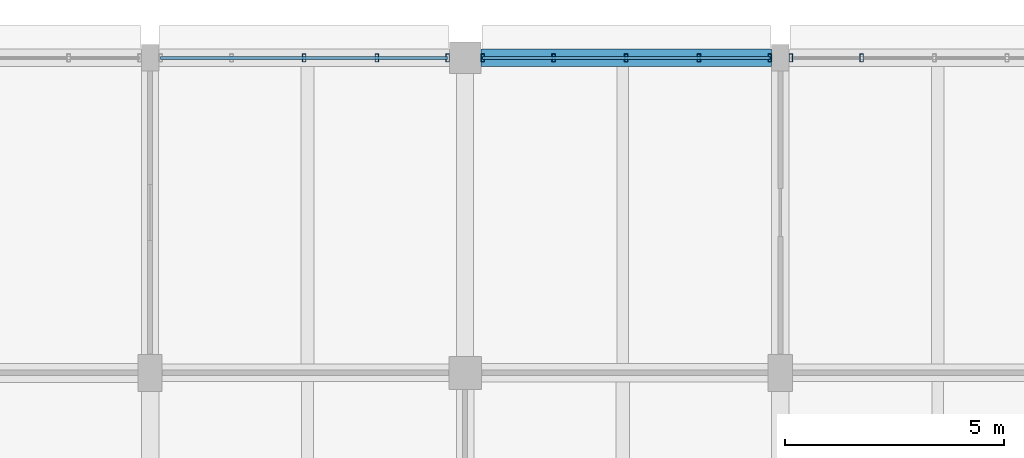
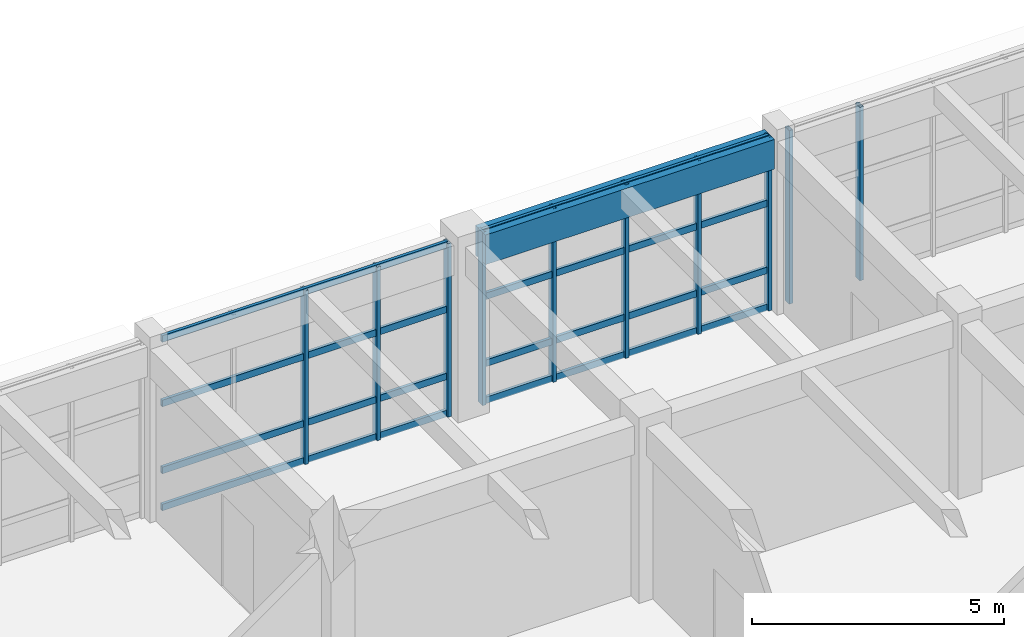
# One storey, part 68 of 171: 18 members, 1 beam, 3 elements without a shape of their own.
"""IFC4 building model written with IfcOpenShell, lengths in metres."""

import ifcopenshell
import ifcopenshell.guid

model = None  # the IFC model being written
_history = None  # IfcOwnerHistory: only IFC2X3 demands one
_inside = {}  # id of a spatial element -> (the spatial element, [elements in it])
_under = {}  # id of a project, library or spatial element -> (it, [spatial elements below it])
_declared = {}  # id of a project -> (the project, [libraries it declares])
_typed = {}  # id of a type object -> (the type object, [elements of that type])
_made_of = {}  # id of a material, layer set ... -> (it, [elements and type objects made of it])


def new_model(schema):
    """Start an empty IFC model of exactly this schema.

    Asked for "IFC4X3", IfcOpenShell would pick the latest addendum, in which some entities
    have other attributes; the version numbers below select the first issue.
    IFC2X3 requires an IfcOwnerHistory on every rooted entity: one is made here for all.
    """
    global model, _history
    if schema == "IFC4X3":
        model = ifcopenshell.file(schema_version=(4, 3, 0, 0))
    else:
        model = ifcopenshell.file(schema=schema)
    _inside.clear()
    _under.clear()
    _declared.clear()
    _typed.clear()
    _made_of.clear()
    _history = None
    if model.schema == "IFC2X3":
        org = make("IfcOrganization", Name="unknown")
        user = make(
            "IfcPersonAndOrganization",
            ThePerson=make("IfcPerson", FamilyName="unknown"),
            TheOrganization=org,
        )
        app = make(
            "IfcApplication",
            ApplicationDeveloper=org,
            Version="unknown",
            ApplicationFullName="unknown",
            ApplicationIdentifier="unknown",
        )
        _history = make(
            "IfcOwnerHistory",
            OwningUser=user,
            OwningApplication=app,
            ChangeAction="ADDED",
            CreationDate=0,
        )
    return model


def make(cls, **values):
    """One entity of the class cls with the attributes given. An attribute that is None is left unset."""
    return model.create_entity(
        cls, **{name: value for name, value in values.items() if value is not None}
    )


def rooted(cls, **values):
    """An entity with a GlobalId (a new one), such as an element, a storey or a relation."""
    return make(cls, GlobalId=ifcopenshell.guid.new(), OwnerHistory=_history, **values)


def si_unit(unit_type, name, prefix=None):
    """IfcSIUnit, for example si_unit("LENGTHUNIT", "METRE", prefix="MILLI")."""
    return make("IfcSIUnit", UnitType=unit_type, Prefix=prefix, Name=name)


def assignment(units):
    """IfcUnitAssignment: the units of a project."""
    return None if units is None else make("IfcUnitAssignment", Units=units)


def point(xyz):
    """IfcCartesianPoint."""
    return None if xyz is None else make("IfcCartesianPoint", Coordinates=xyz)


def direction(xyz):
    """IfcDirection."""
    return None if xyz is None else make("IfcDirection", DirectionRatios=xyz)


def frame(location, z_axis=None, x_axis=None):
    """IfcAxis2Placement3D, a coordinate frame: its origin and axes. An axis left out is left unset."""
    return make(
        "IfcAxis2Placement3D",
        Location=point(location),
        Axis=direction(z_axis),
        RefDirection=direction(x_axis),
    )


def frame_2d(location, x_axis=None):
    """IfcAxis2Placement2D, a coordinate frame in the plane: its origin and x axis."""
    return make(
        "IfcAxis2Placement2D", Location=point(location), RefDirection=direction(x_axis)
    )


def origin():
    """The frame at (0, 0, 0) with its axes left unset."""
    return frame((0.0, 0.0, 0.0))


def origin_2d():
    """The frame at (0, 0) in the plane with its x axis left unset."""
    return frame_2d((0.0, 0.0))


def place(relative_to, where):
    """IfcLocalPlacement: puts the frame where relative to a parent placement (None: the world)."""
    return make(
        "IfcLocalPlacement", PlacementRelTo=relative_to, RelativePlacement=where
    )


def context(
    kind, dimensions, precision=None, world=None, true_north=None, identifier=None
):
    """IfcGeometricRepresentationContext, for example the 3D "Model" context."""
    return make(
        "IfcGeometricRepresentationContext",
        ContextIdentifier=identifier,
        ContextType=kind,
        CoordinateSpaceDimension=dimensions,
        Precision=precision,
        WorldCoordinateSystem=world,
        TrueNorth=true_north,
    )


def subcontext(parent, identifier, kind, view, scale=None):
    """IfcGeometricRepresentationSubContext, for example "Body" below "Model"."""
    return make(
        "IfcGeometricRepresentationSubContext",
        ContextIdentifier=identifier,
        ContextType=kind,
        ParentContext=parent,
        TargetScale=scale,
        TargetView=view,
    )


def project(units=None, contexts=None):
    """IfcProject with its units and contexts."""
    return rooted(
        "IfcProject",
        Name="project",
        RepresentationContexts=contexts,
        UnitsInContext=assignment(units),
    )


def spatial(cls, under=None, at=None, **own):
    """A site, building, storey or space (cls), placed at a placement, below another one or the project."""
    s = rooted(cls, ObjectPlacement=at, **own)
    if under is not None:
        _under.setdefault(under.id(), (under, []))[1].append(s)
    return s


def profile(cls, at=None, kind="AREA", **sizes):
    """A parametric profile (cls). Its sizes go by their IFC names, for example OverallWidth=200.0."""
    return make(cls, ProfileType=kind, Position=at, **sizes)


def rectangle(**sizes):
    """IfcRectangleProfileDef."""
    return profile("IfcRectangleProfileDef", **sizes)


def hollow_rectangle(**sizes):
    """IfcRectangleHollowProfileDef."""
    return profile("IfcRectangleHollowProfileDef", **sizes)


def extrude(swept, where, along, depth):
    """IfcExtrudedAreaSolid: the profile swept, set in the frame where, extruded along a direction by depth."""
    return make(
        "IfcExtrudedAreaSolid",
        SweptArea=swept,
        Position=where,
        ExtrudedDirection=direction(along),
        Depth=depth,
    )


def shape(context_of_items, identifier, shape_type, items):
    """IfcShapeRepresentation: the items that make up one representation, for example the "Body"."""
    return make(
        "IfcShapeRepresentation",
        ContextOfItems=context_of_items,
        RepresentationIdentifier=identifier,
        RepresentationType=shape_type,
        Items=items,
    )


def material(Name=None, Category=None):
    """IfcMaterial."""
    return make("IfcMaterial", Name=Name, Category=Category)


def material_profile(
    of_material, cross_section, Name=None, Category=None, Priority=None
):
    """IfcMaterialProfile: a cross section and its material."""
    return make(
        "IfcMaterialProfile",
        Name=Name,
        Material=of_material,
        Profile=cross_section,
        Priority=Priority,
        Category=Category,
    )


def profile_set(profiles, Name=None, composite=None):
    """IfcMaterialProfileSet."""
    return make(
        "IfcMaterialProfileSet",
        Name=Name,
        MaterialProfiles=profiles,
        CompositeProfile=composite,
    )


def made_of(thing, what):
    """Note that an element or type object is made of a material, layer set ...; save() writes the relation."""
    if what is not None:
        _made_of.setdefault(what.id(), (what, []))[1].append(thing)
    return thing


def type_object(cls, material=None, **own):
    """A type object (cls), such as IfcWallType, which elements share."""
    return made_of(rooted(cls, **own), material)


def element(
    cls,
    number,
    at=None,
    inside=None,
    cuts=None,
    type_object=None,
    material=None,
    context=None,
    identifier="Body",
    shape_type=None,
    held_by="IfcProductDefinitionShape",
    body=None,
    shapes=None,
    **own,
):
    """One element of the class cls, such as IfcWall. Its Tag is "e" and its number.

    at: its placement. inside: the storey or other place that contains it. cuts: it is an
    opening in that element (IfcRelVoidsElement). A single representation is given by context,
    identifier, shape_type and body (its items); several are given by shapes. held_by: the class
    of the entity that holds the representations. save() writes the other relations.
    """
    e = rooted(cls, Tag="e%d" % number, ObjectPlacement=at, **own)
    if body is not None:
        shapes = [shape(context, identifier, shape_type, body)]
    if shapes is not None:
        e.Representation = make(held_by, Representations=shapes)
    if inside is not None:
        _inside.setdefault(inside.id(), (inside, []))[1].append(e)
    if cuts is not None:
        rooted(
            "IfcRelVoidsElement", RelatingBuildingElement=cuts, RelatedOpeningElement=e
        )
    if type_object is not None:
        _typed.setdefault(type_object.id(), (type_object, []))[1].append(e)
    return made_of(e, material)


def aggregate(whole, parts):
    """IfcRelAggregates: a whole, such as a stair, and the parts it consists of."""
    return rooted("IfcRelAggregates", RelatingObject=whole, RelatedObjects=parts)


def save(model, path):
    """Write the relations noted so far, then the file.

    IfcRelAggregates (storeys below a building ...), IfcRelContainedInSpatialStructure (elements
    in a storey), IfcRelDefinesByType, IfcRelAssociatesMaterial and IfcRelDeclares: one each for
    every whole, place, type object, material and project.
    """
    for whole, parts in _under.values():
        aggregate(whole, parts)
    for where, things in _inside.values():
        rooted(
            "IfcRelContainedInSpatialStructure",
            RelatedElements=things,
            RelatingStructure=where,
        )
    for kind, things in _typed.values():
        rooted("IfcRelDefinesByType", RelatedObjects=things, RelatingType=kind)
    for what, things in _made_of.values():
        rooted("IfcRelAssociatesMaterial", RelatedObjects=things, RelatingMaterial=what)
    for by, libraries in _declared.values():
        rooted("IfcRelDeclares", RelatingContext=by, RelatedDefinitions=libraries)
    model.write(path)


model = new_model("IFC4")

# Units and contexts
model_context = context("Model", 3, precision=1e-05, world=origin(), true_north=direction((0.0, 1.0)))
body_context = subcontext(model_context, "Body", "Model", "MODEL_VIEW")
ifc_project = project(units=[si_unit("LENGTHUNIT", "METRE"), si_unit("AREAUNIT", "SQUARE_METRE"), si_unit("VOLUMEUNIT", "CUBIC_METRE"), si_unit("PLANEANGLEUNIT", "RADIAN"), si_unit("MASSUNIT", "GRAM", prefix="KILO")], contexts=[model_context])

# Site, building, storey
site_placement = place(None, origin())
site = spatial("IfcSite", under=ifc_project, at=site_placement, CompositionType="ELEMENT")
building_placement = place(site_placement, origin())
building = spatial("IfcBuilding", under=site, at=building_placement, Name="Thalmaran Polytechnic", CompositionType="ELEMENT")
storey_placement = place(building_placement, frame((0.0, 0.0, 5.39990234375)))
storey = spatial("IfcBuildingStorey", under=building, at=storey_placement, Name="L01", CompositionType="ELEMENT", Elevation=5.39990234375)

# Beam
ifc_material_1 = material(Name="Concrete C40/50", Category="concrete")
ifc_material_profile_1 = material_profile(ifc_material_1, rectangle(XDim=0.39990234375, YDim=0.719970703125, at=origin_2d()), Name="RC 400x720")
ifc_profile_set_1 = profile_set([ifc_material_profile_1], Name="Concrete C40/50")
beam_type = type_object("IfcBeamType", Name="BM-SP01", PredefinedType="SPANDREL", material=ifc_profile_set_1)
beam_placement = place(storey_placement, frame((36.360107421875, 122.39990234375, 3.85009765625), z_axis=(1.0, 0.0, 0.0), x_axis=(0.0, 1.0, 0.0)))
element("IfcBeam", 1, at=beam_placement, inside=storey, type_object=beam_type, Name="Grid Beam SP01 L01 X(5,17)", PredefinedType="SPANDREL", context=body_context, shape_type="SweptSolid", body=[
    extrude(rectangle(XDim=0.39990234375, YDim=0.719970703125, at=origin_2d()), origin(), (0.0, 0.0, 1.0), 6.639892578125),
])

# Curtain wall, members
ifc_material_2 = material(Name="Aluminium 6063-T6", Category="aluminium")
curtain_wall_type = type_object("IfcCurtainWallType", Name="CW-UC02", PredefinedType="USERDEFINED", material=ifc_material_2)
curtain_wall_1_placement = place(storey_placement, origin())
curtain_wall_1 = element("IfcCurtainWall", 2, at=curtain_wall_1_placement, inside=storey, type_object=curtain_wall_type, Name="Curtain Wall CW-L01-083", ObjectType="UNITISED CURTAIN WALL", PredefinedType="USERDEFINED")
ifc_material_profile_2 = material_profile(ifc_material_2, hollow_rectangle(XDim=0.080078125, YDim=0.179931640625, WallThickness=0.0048828125, at=origin_2d()), Name="RHS 180x80x5.0")
ifc_profile_set_2 = profile_set([ifc_material_profile_2], Name="Aluminium 6063-T6")
member_type_1 = type_object("IfcMemberType", Name="CW-MUL1", PredefinedType="MULLION", material=ifc_profile_set_2)
member_1_placement = place(storey_placement, frame((32.320068359375, 122.39990234375, 0.0), z_axis=(0.0, 0.0, 1.0), x_axis=(1.0, 0.0, 0.0)))
member_1 = element("IfcMember", 3, at=member_1_placement, type_object=member_type_1, Name="CW-L01-083 Mullion 3", PredefinedType="MULLION", context=body_context, shape_type="SweptSolid", body=[
    extrude(hollow_rectangle(XDim=0.080078125, YDim=0.179931640625, WallThickness=0.0048828125, at=origin_2d()), origin(), (0.0, 0.0, 1.0), 4.210205078125),
])
member_2_placement = place(storey_placement, frame((33.97998046875, 122.39990234375, 0.0), z_axis=(0.0, 0.0, 1.0), x_axis=(1.0, 0.0, 0.0)))
member_2 = element("IfcMember", 4, at=member_2_placement, type_object=member_type_1, Name="CW-L01-083 Mullion 4", PredefinedType="MULLION", context=body_context, shape_type="SweptSolid", body=[
    extrude(hollow_rectangle(XDim=0.080078125, YDim=0.179931640625, WallThickness=0.0048828125, at=origin_2d()), origin(), (0.0, 0.0, 1.0), 4.210205078125),
])
member_3_placement = place(storey_placement, frame((35.60009765625, 122.39990234375, 0.0), z_axis=(0.0, 0.0, 1.0), x_axis=(1.0, 0.0, 0.0)))
member_3 = element("IfcMember", 5, at=member_3_placement, type_object=member_type_1, Name="CW-L01-083 Mullion 5", PredefinedType="MULLION", context=body_context, shape_type="SweptSolid", body=[
    extrude(hollow_rectangle(XDim=0.080078125, YDim=0.179931640625, WallThickness=0.0048828125, at=origin_2d()), origin(), (0.0, 0.0, 1.0), 4.210205078125),
])

curtain_wall_2_placement = place(storey_placement, origin())
curtain_wall_2 = element("IfcCurtainWall", 6, at=curtain_wall_2_placement, inside=storey, type_object=curtain_wall_type, Name="Curtain Wall CW-L01-084", ObjectType="UNITISED CURTAIN WALL", PredefinedType="USERDEFINED")
member_4_placement = place(storey_placement, frame((36.39990234375, 122.39990234375, 0.0), z_axis=(0.0, 0.0, 1.0), x_axis=(1.0, 0.0, 0.0)))
member_4 = element("IfcMember", 7, at=member_4_placement, type_object=member_type_1, Name="CW-L01-084 Mullion 1", PredefinedType="MULLION", context=body_context, shape_type="SweptSolid", body=[
    extrude(hollow_rectangle(XDim=0.080078125, YDim=0.179931640625, WallThickness=0.0048828125, at=origin_2d()), origin(), (0.0, 0.0, 1.0), 4.210205078125),
])
member_5_placement = place(storey_placement, frame((38.02001953125, 122.39990234375, 0.0), z_axis=(0.0, 0.0, 1.0), x_axis=(1.0, 0.0, 0.0)))
member_5 = element("IfcMember", 8, at=member_5_placement, type_object=member_type_1, Name="CW-L01-084 Mullion 2", PredefinedType="MULLION", context=body_context, shape_type="SweptSolid", body=[
    extrude(hollow_rectangle(XDim=0.080078125, YDim=0.179931640625, WallThickness=0.0048828125, at=origin_2d()), origin(), (0.0, 0.0, 1.0), 4.210205078125),
])
member_6_placement = place(storey_placement, frame((39.679931640625, 122.39990234375, 0.0), z_axis=(0.0, 0.0, 1.0), x_axis=(1.0, 0.0, 0.0)))
member_6 = element("IfcMember", 9, at=member_6_placement, type_object=member_type_1, Name="CW-L01-084 Mullion 3", PredefinedType="MULLION", context=body_context, shape_type="SweptSolid", body=[
    extrude(hollow_rectangle(XDim=0.080078125, YDim=0.179931640625, WallThickness=0.0048828125, at=origin_2d()), origin(), (0.0, 0.0, 1.0), 4.210205078125),
])
member_7_placement = place(storey_placement, frame((41.340087890625, 122.39990234375, 0.0), z_axis=(0.0, 0.0, 1.0), x_axis=(1.0, 0.0, 0.0)))
member_7 = element("IfcMember", 10, at=member_7_placement, type_object=member_type_1, Name="CW-L01-084 Mullion 4", PredefinedType="MULLION", context=body_context, shape_type="SweptSolid", body=[
    extrude(hollow_rectangle(XDim=0.080078125, YDim=0.179931640625, WallThickness=0.0048828125, at=origin_2d()), origin(), (0.0, 0.0, 1.0), 4.210205078125),
])
member_8_placement = place(storey_placement, frame((42.9599609375, 122.39990234375, 0.0), z_axis=(0.0, 0.0, 1.0), x_axis=(1.0, 0.0, 0.0)))
member_8 = element("IfcMember", 11, at=member_8_placement, type_object=member_type_1, Name="CW-L01-084 Mullion 5", PredefinedType="MULLION", context=body_context, shape_type="SweptSolid", body=[
    extrude(hollow_rectangle(XDim=0.080078125, YDim=0.179931640625, WallThickness=0.0048828125, at=origin_2d()), origin(), (0.0, 0.0, 1.0), 4.210205078125),
])

curtain_wall_3_placement = place(storey_placement, origin())
curtain_wall_3 = element("IfcCurtainWall", 12, at=curtain_wall_3_placement, inside=storey, type_object=curtain_wall_type, Name="Curtain Wall CW-L01-085", ObjectType="UNITISED CURTAIN WALL", PredefinedType="USERDEFINED")
member_9_placement = place(storey_placement, frame((43.43994140625, 122.39990234375, 0.0), z_axis=(0.0, 0.0, 1.0), x_axis=(1.0, 0.0, 0.0)))
member_9 = element("IfcMember", 13, at=member_9_placement, type_object=member_type_1, Name="CW-L01-085 Mullion 1", PredefinedType="MULLION", context=body_context, shape_type="SweptSolid", body=[
    extrude(hollow_rectangle(XDim=0.080078125, YDim=0.179931640625, WallThickness=0.0048828125, at=origin_2d()), origin(), (0.0, 0.0, 1.0), 4.210205078125),
])
member_10_placement = place(storey_placement, frame((45.06005859375, 122.39990234375, 0.0), z_axis=(0.0, 0.0, 1.0), x_axis=(1.0, 0.0, 0.0)))
member_10 = element("IfcMember", 14, at=member_10_placement, type_object=member_type_1, Name="CW-L01-085 Mullion 2", PredefinedType="MULLION", context=body_context, shape_type="SweptSolid", body=[
    extrude(hollow_rectangle(XDim=0.080078125, YDim=0.179931640625, WallThickness=0.0048828125, at=origin_2d()), origin(), (0.0, 0.0, 1.0), 4.210205078125),
])
aggregate(curtain_wall_3, [member_9, member_10])

# Member
ifc_material_profile_3 = material_profile(ifc_material_2, hollow_rectangle(XDim=0.070068359375, YDim=0.159912109375, WallThickness=0.00390625, at=origin_2d()), Name="AL 160x70x4.0")
ifc_profile_set_3 = profile_set([ifc_material_profile_3], Name="Aluminium 6063-T6")
member_type_2 = type_object("IfcMemberType", Name="CW-TRN1", PredefinedType="USERDEFINED", material=ifc_profile_set_3)
member_11_placement = place(storey_placement, frame((29.0400390625, 122.39990234375, 0.06005859375), z_axis=(1.0, 0.0, 0.0), x_axis=(0.0, 1.0, 0.0)))
member_11 = element("IfcMember", 15, at=member_11_placement, type_object=member_type_2, Name="CW-L01-083 Transom 1", ObjectType="TRANSOM", PredefinedType="USERDEFINED", context=body_context, shape_type="SweptSolid", body=[
    extrude(hollow_rectangle(XDim=0.070068359375, YDim=0.159912109375, WallThickness=0.00390625, at=origin_2d()), origin(), (0.0, 0.0, 1.0), 6.56005859375),
])

member_12_placement = place(storey_placement, frame((29.0400390625, 122.39990234375, 0.960205078125), z_axis=(1.0, 0.0, 0.0), x_axis=(0.0, 1.0, 0.0)))
member_12 = element("IfcMember", 16, at=member_12_placement, type_object=member_type_2, Name="CW-L01-083 Transom 2", ObjectType="TRANSOM", PredefinedType="USERDEFINED", context=body_context, shape_type="SweptSolid", body=[
    extrude(hollow_rectangle(XDim=0.070068359375, YDim=0.159912109375, WallThickness=0.00390625, at=origin_2d()), origin(), (0.0, 0.0, 1.0), 6.56005859375),
])

member_13_placement = place(storey_placement, frame((29.0400390625, 122.39990234375, 2.585205078125), z_axis=(1.0, 0.0, 0.0), x_axis=(0.0, 1.0, 0.0)))
member_13 = element("IfcMember", 17, at=member_13_placement, type_object=member_type_2, Name="CW-L01-083 Transom 3", ObjectType="TRANSOM", PredefinedType="USERDEFINED", context=body_context, shape_type="SweptSolid", body=[
    extrude(hollow_rectangle(XDim=0.070068359375, YDim=0.159912109375, WallThickness=0.00390625, at=origin_2d()), origin(), (0.0, 0.0, 1.0), 6.56005859375),
])

member_14_placement = place(storey_placement, frame((29.0400390625, 122.39990234375, 4.150146484375), z_axis=(1.0, 0.0, 0.0), x_axis=(0.0, 1.0, 0.0)))
member_14 = element("IfcMember", 18, at=member_14_placement, type_object=member_type_2, Name="CW-L01-083 Transom 4", ObjectType="TRANSOM", PredefinedType="USERDEFINED", context=body_context, shape_type="SweptSolid", body=[
    extrude(hollow_rectangle(XDim=0.070068359375, YDim=0.159912109375, WallThickness=0.00390625, at=origin_2d()), origin(), (0.0, 0.0, 1.0), 6.56005859375),
])

aggregate(curtain_wall_1, [member_1, member_2, member_3, member_11, member_12, member_13, member_14])

member_15_placement = place(storey_placement, frame((36.39990234375, 122.39990234375, 0.06005859375), z_axis=(1.0, 0.0, 0.0), x_axis=(0.0, 1.0, 0.0)))
member_15 = element("IfcMember", 19, at=member_15_placement, type_object=member_type_2, Name="CW-L01-084 Transom 1", ObjectType="TRANSOM", PredefinedType="USERDEFINED", context=body_context, shape_type="SweptSolid", body=[
    extrude(hollow_rectangle(XDim=0.070068359375, YDim=0.159912109375, WallThickness=0.00390625, at=origin_2d()), origin(), (0.0, 0.0, 1.0), 6.56005859375),
])

member_16_placement = place(storey_placement, frame((36.39990234375, 122.39990234375, 0.960205078125), z_axis=(1.0, 0.0, 0.0), x_axis=(0.0, 1.0, 0.0)))
member_16 = element("IfcMember", 20, at=member_16_placement, type_object=member_type_2, Name="CW-L01-084 Transom 2", ObjectType="TRANSOM", PredefinedType="USERDEFINED", context=body_context, shape_type="SweptSolid", body=[
    extrude(hollow_rectangle(XDim=0.070068359375, YDim=0.159912109375, WallThickness=0.00390625, at=origin_2d()), origin(), (0.0, 0.0, 1.0), 6.56005859375),
])

member_17_placement = place(storey_placement, frame((36.39990234375, 122.39990234375, 2.585205078125), z_axis=(1.0, 0.0, 0.0), x_axis=(0.0, 1.0, 0.0)))
member_17 = element("IfcMember", 21, at=member_17_placement, type_object=member_type_2, Name="CW-L01-084 Transom 3", ObjectType="TRANSOM", PredefinedType="USERDEFINED", context=body_context, shape_type="SweptSolid", body=[
    extrude(hollow_rectangle(XDim=0.070068359375, YDim=0.159912109375, WallThickness=0.00390625, at=origin_2d()), origin(), (0.0, 0.0, 1.0), 6.56005859375),
])

member_18_placement = place(storey_placement, frame((36.39990234375, 122.39990234375, 4.150146484375), z_axis=(1.0, 0.0, 0.0), x_axis=(0.0, 1.0, 0.0)))
member_18 = element("IfcMember", 22, at=member_18_placement, type_object=member_type_2, Name="CW-L01-084 Transom 4", ObjectType="TRANSOM", PredefinedType="USERDEFINED", context=body_context, shape_type="SweptSolid", body=[
    extrude(hollow_rectangle(XDim=0.070068359375, YDim=0.159912109375, WallThickness=0.00390625, at=origin_2d()), origin(), (0.0, 0.0, 1.0), 6.56005859375),
])

aggregate(curtain_wall_2, [member_4, member_5, member_6, member_7, member_8, member_15, member_16, member_17, member_18])

save(model, "model.ifc")
